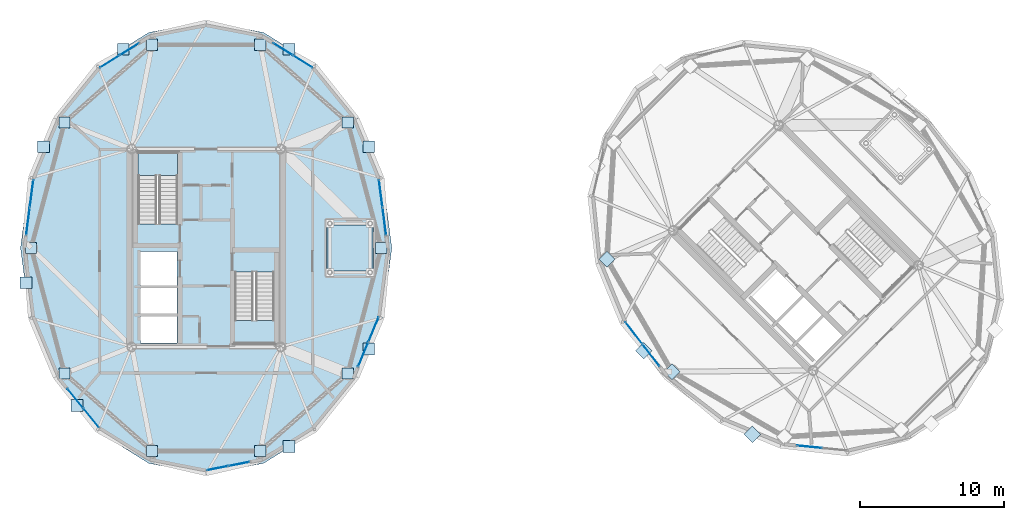
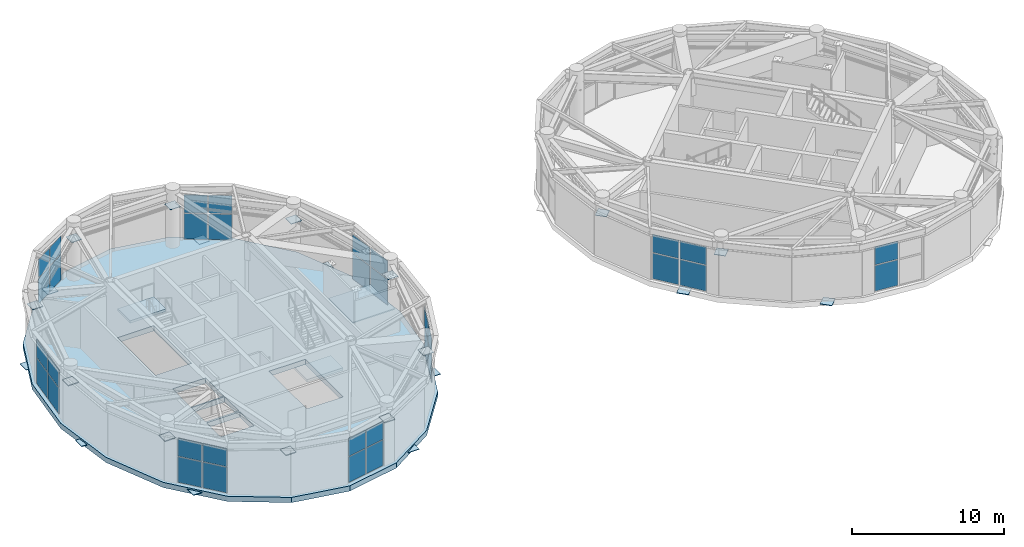
# One storey, part 21 of 28: 57 plates, 3 slabs, 11 elements without a shape of their own.
"""IFC4 building model written with IfcOpenShell, lengths in metres."""

from ifc_helpers import new_model, si_unit, direction, frame, origin, origin_2d, place, context, subcontext, project, spatial, polyline, rectangle, outline, extrude, source, transform, mapped, material, layer, layer_set, type_object, element, aggregate, save


model = new_model("IFC4")

# Units and contexts
model_context = context("Model", 3, precision=1e-05, world=origin(), true_north=direction((0.0, 1.0)))
body_context = subcontext(model_context, "Body", "Model", "MODEL_VIEW")
ifc_project = project(units=[si_unit("LENGTHUNIT", "METRE"), si_unit("AREAUNIT", "SQUARE_METRE"), si_unit("VOLUMEUNIT", "CUBIC_METRE"), si_unit("PLANEANGLEUNIT", "RADIAN"), si_unit("MASSUNIT", "GRAM", prefix="KILO")], contexts=[model_context])

# Site, building, storey
site_placement = place(None, origin())
site = spatial("IfcSite", under=ifc_project, at=site_placement, CompositionType="ELEMENT")
building_placement = place(site_placement, origin())
building = spatial("IfcBuilding", under=site, at=building_placement, Name="Cununo Teusaquillo Station Towers", CompositionType="ELEMENT")
storey_placement = place(building_placement, frame((0.0, 0.0, 235.64990234375)))
storey = spatial("IfcBuildingStorey", under=building, at=storey_placement, Name="L75", CompositionType="ELEMENT", Elevation=235.64990234375)

# Stair, slab
ifc_material_1 = material(Name="Concrete C50/60", Category="concrete")
stair_type = type_object("IfcStairType", Name="ST-TWR-1300", PredefinedType="HALF_TURN_STAIR", material=ifc_material_1)
stair_1_placement = place(storey_placement, origin())
stair_1 = element("IfcStair", 1, at=stair_1_placement, inside=storey, type_object=stair_type, Name="L75 Tower A Protected Core Exit Stair 1", PredefinedType="HALF_TURN_STAIR")
ifc_material_2 = material(Name="Concrete C50/60", Category="concrete")
ifc_layer_1 = layer(ifc_material_2, 0.199951171875)
ifc_layer_set_1 = layer_set([ifc_layer_1], Name="Concrete C50/60")
slab_type_1 = type_object("IfcSlabType", Name="SLB-STAIR-LND", PredefinedType="LANDING", material=ifc_layer_set_1)
slab_1_placement = place(storey_placement, frame((0.0, 0.0, 2.14013671875)))
slab_1 = element("IfcSlab", 2, at=slab_1_placement, type_object=slab_type_1, Name="ST-T1-1 landing 1", PredefinedType="LANDING", context=body_context, shape_type="SweptSolid", body=[
    extrude(outline(polyline([(14.52001953125, 29.530029296875), (14.52001953125, 31.159912109375), (11.760009765625, 31.159912109375), (11.760009765625, 29.530029296875), (14.52001953125, 29.530029296875)])), origin(), (0.0, 0.0, 1.0), 0.199951171875),
])
aggregate(stair_1, [slab_1])

stair_2_placement = place(storey_placement, origin())
stair_2 = element("IfcStair", 3, at=stair_2_placement, inside=storey, type_object=stair_type, Name="L75 Tower A Protected Core Exit Stair 2", PredefinedType="HALF_TURN_STAIR")
slab_2_placement = place(storey_placement, frame((0.0, 0.0, 2.14013671875)))
slab_2 = element("IfcSlab", 4, at=slab_2_placement, type_object=slab_type_1, Name="ST-T1-2 landing 1", PredefinedType="LANDING", context=body_context, shape_type="SweptSolid", body=[
    extrude(outline(polyline([(18.47998046875, 19.469970703125), (18.47998046875, 17.840087890625), (21.239990234375, 17.840087890625), (21.239990234375, 19.469970703125), (18.47998046875, 19.469970703125)])), origin(), (0.0, 0.0, 1.0), 0.199951171875),
])
aggregate(stair_2, [slab_2])

# Slab
ifc_material_3 = material(Name="Concrete C60/75", Category="concrete")
ifc_layer_2 = layer(ifc_material_3, 0.419921875)
ifc_layer_set_2 = layer_set([ifc_layer_2], Name="Concrete C60/75")
slab_type_2 = type_object("IfcSlabType", Name="SLB-TMD-420", PredefinedType="FLOOR", material=ifc_layer_set_2)
slab_3_placement = place(storey_placement, frame((0.0, 0.0, -0.419921875)))
element("IfcSlab", 5, at=slab_3_placement, inside=storey, type_object=slab_type_2, Name="L75 Tower A Floor Slab", PredefinedType="FLOOR", context=body_context, shape_type="SweptSolid", body=[
    extrude(outline(polyline([(29.409912109375, 24.5), (28.778076171875, 29.366943359375), (26.9443359375, 33.757568359375), (24.08837890625, 37.241943359375), (20.489501953125, 39.47900390625), (16.5, 40.25), (12.510498046875, 39.47900390625), (8.91162109375, 37.241943359375), (6.0556640625, 33.757568359375), (4.221923828125, 29.366943359375), (3.590087890625, 24.5), (4.221923828125, 19.633056640625), (6.0556640625, 15.242431640625), (8.91162109375, 11.758056640625), (12.510498046875, 9.52099609375), (16.5, 8.75), (20.489501953125, 9.52099609375), (24.08837890625, 11.758056640625), (26.9443359375, 15.242431640625), (28.778076171875, 19.633056640625), (29.409912109375, 24.5)]), holes=[polyline([(14.52001953125, 26.176025390625), (14.52001953125, 31.159912109375), (11.760009765625, 31.159912109375), (11.760009765625, 26.176025390625), (14.52001953125, 26.176025390625)]), polyline([(18.47998046875, 22.823974609375), (18.47998046875, 17.840087890625), (21.239990234375, 17.840087890625), (21.239990234375, 22.823974609375), (18.47998046875, 22.823974609375)]), polyline([(11.949951171875, 21.85009765625), (14.47998046875, 21.85009765625), (14.47998046875, 24.25), (11.949951171875, 24.25), (11.949951171875, 21.85009765625)]), polyline([(11.949951171875, 17.89990234375), (14.47998046875, 17.89990234375), (14.47998046875, 19.75), (11.949951171875, 19.75), (11.949951171875, 17.89990234375)]), polyline([(11.949951171875, 19.89990234375), (14.47998046875, 19.89990234375), (14.47998046875, 21.75), (11.949951171875, 21.75), (11.949951171875, 19.89990234375)])]), origin(), (0.0, 0.0, 1.0), 0.419921875),
])

# Plates
ifc_material_4 = material(Name="Steel ASTM A572 Grade 50", Category="steel")
ifc_layer_3 = layer(ifc_material_4, 0.0400390625)
ifc_layer_set_3 = layer_set([ifc_layer_3], Name="Steel ASTM A572 Grade 50")
plate_type_1 = type_object("IfcPlateType", Name="PLT-NODE-CRN1", PredefinedType="USERDEFINED", material=ifc_layer_set_3)
shared_shape_1 = source(origin(), body_context, "Body", "SweptSolid", [
    extrude(rectangle(XDim=0.780029296875, YDim=0.780029296875, at=origin_2d()), origin(), (0.0, 0.0, 1.0), 0.0400390625),
])
for number, where, z_axis, x_axis, name in (
    (6, (28.672119140625, 24.5, 3.130126953125), (0.0, 0.0, 1.0), (1.0, 0.0, 0.0), "L75 Tower A Crown Drum Node CRN1 01"),
    (7, (26.347412109375, 33.228515625, 3.130126953125), (0.0, 0.0, 1.0), (1.0, 0.0, 0.0), "L75 Tower A Crown Drum Node CRN1 02"),
    (8, (20.261474609375, 38.623291015625, 3.130126953125), (0.0, 0.0, 1.0), (1.0, 0.0, 0.0), "L75 Tower A Crown Drum Node CRN1 03"),
    (9, (12.738525390625, 38.623291015625, 3.130126953125), (0.0, 0.0, 1.0), (1.0, 0.0, 0.0), "L75 Tower A Crown Drum Node CRN1 04"),
    (10, (6.652587890625, 33.228515625, 3.130126953125), (0.0, 0.0, 1.0), (1.0, 0.0, 0.0), "L75 Tower A Crown Drum Node CRN1 05"),
    (11, (4.327880859375, 24.5, 3.130126953125), (0.0, 0.0, 1.0), (1.0, 0.0, 0.0), "L75 Tower A Crown Drum Node CRN1 06"),
    (12, (6.652587890625, 15.771484375, 3.130126953125), (0.0, 0.0, 1.0), (1.0, 0.0, 0.0), "L75 Tower A Crown Drum Node CRN1 07"),
    (13, (12.738525390625, 10.376708984375, 3.130126953125), (0.0, 0.0, 1.0), (1.0, 0.0, 0.0), "L75 Tower A Crown Drum Node CRN1 08"),
    (14, (20.261474609375, 10.376708984375, 3.130126953125), (0.0, 0.0, 1.0), (1.0, 0.0, 0.0), "L75 Tower A Crown Drum Node CRN1 09"),
    (15, (26.347412109375, 15.771484375, 3.130126953125), (0.0, 0.0, 1.0), (1.0, 0.0, 0.0), "L75 Tower A Crown Drum Node CRN1 10"),
    (16, (44.36474609375, 23.708984375, 3.130126953125), (0.0, 0.0, 1.0), (0.707106781187, 0.707106781187, 0.0), "L75 Tower B Crown Drum Node CRN1 05"),
    (17, (48.89306640625, 15.89306640625, 3.130126953125), (0.0, 0.0, 1.0), (0.707106781187, 0.707106781187, 0.0), "L75 Tower B Crown Drum Node CRN1 06"),
):
    element("IfcPlate", number, at=place(storey_placement, frame(where, z_axis=z_axis, x_axis=x_axis)), inside=storey, type_object=plate_type_1, Name=name, ObjectType="GUSSET PLATE", PredefinedType="USERDEFINED", context=body_context, shape_type="MappedRepresentation", body=[
        mapped(shared_shape_1, transform((0.0, 0.0, 0.0), x_axis=(1.0, 0.0, 0.0), y_axis=(0.0, 1.0, 0.0), z_axis=(0.0, 0.0, 1.0), scale=1.0)),
    ])
ifc_material_5 = material(Name="Steel ASTM A572 Grade 50", Category="steel")
ifc_layer_4 = layer(ifc_material_5, 0.044921875)
ifc_layer_set_4 = layer_set([ifc_layer_4], Name="Steel ASTM A572 Grade 50")
plate_type_2 = type_object("IfcPlateType", Name="PLT-NODE-DN2", PredefinedType="USERDEFINED", material=ifc_layer_set_4)
shared_shape_2 = source(origin(), body_context, "Body", "SweptSolid", [
    extrude(rectangle(XDim=0.820068359375, YDim=0.820068359375, at=origin_2d()), origin(), (0.0, 0.0, 1.0), 0.044921875),
])
for number, where, z_axis, x_axis, name in (
    (18, (27.80859375, 31.535400390625, -0.162353515625), (0.0, 0.0, 1.0), (1.0, 0.0, 0.0), "L75 Tower A Diagrid Node Assembly C01"),
    (19, (22.261962890625, 38.307861328125, -0.162353515625), (0.0, 0.0, 1.0), (1.0, 0.0, 0.0), "L75 Tower A Diagrid Node Assembly C03"),
    (20, (10.738037109375, 38.307861328125, -0.162353515625), (0.0, 0.0, 1.0), (1.0, 0.0, 0.0), "L75 Tower A Diagrid Node Assembly C06"),
    (21, (5.19140625, 31.535400390625, -0.162353515625), (0.0, 0.0, 1.0), (1.0, 0.0, 0.0), "L75 Tower A Diagrid Node Assembly C08"),
    (22, (3.964599609375, 22.07568359375, -0.162353515625), (0.0, 0.0, 1.0), (1.0, 0.0, 0.0), "L75 Tower A Diagrid Node Assembly C10"),
    (23, (7.525390625, 13.5419921875, -0.162353515625), (0.0, 0.0, 1.0), (1.0, 0.0, 0.0), "L75 Tower A Diagrid Node Assembly C12"),
    (24, (22.261962890625, 10.692138671875, -0.162353515625), (0.0, 0.0, 1.0), (1.0, 0.0, 0.0), "L75 Tower A Diagrid Node Assembly C16"),
    (25, (27.80859375, 17.464599609375, -0.162353515625), (0.0, 0.0, 1.0), (1.0, 0.0, 0.0), "L75 Tower A Diagrid Node Assembly C18"),
    (26, (46.921875, 17.35009765625, -0.162353515625), (0.0, 0.0, 1.0), (0.707106781187, 0.707106781187, 0.0), "L75 Tower B Diagrid Node Assembly C09"),
    (27, (54.478515625, 11.52880859375, -0.162353515625), (0.0, 0.0, 1.0), (0.707106781187, 0.707106781187, 0.0), "L75 Tower B Diagrid Node Assembly C11"),
):
    element("IfcPlate", number, at=place(storey_placement, frame(where, z_axis=z_axis, x_axis=x_axis)), inside=storey, type_object=plate_type_2, Name=name, ObjectType="GUSSET PLATE", PredefinedType="USERDEFINED", context=body_context, shape_type="MappedRepresentation", body=[
        mapped(shared_shape_2, transform((0.0, 0.0, 0.0), x_axis=(1.0, 0.0, 0.0), y_axis=(0.0, 1.0, 0.0), z_axis=(0.0, 0.0, 1.0), scale=1.0)),
    ])
ifc_material_6 = material(Name="Steel ASTM A572 Grade 50", Category="steel")
ifc_layer_5 = layer(ifc_material_6, 0.090087890625)
ifc_layer_set_5 = layer_set([ifc_layer_5], Name="Steel ASTM A572 Grade 50")
plate_type_3 = type_object("IfcPlateType", Name="PLT-TMD-MASS", PredefinedType="SHEET", material=ifc_layer_set_5)
shared_shape_3 = source(origin(), body_context, "Body", "SweptSolid", [
    extrude(rectangle(XDim=3.199951171875, YDim=3.199951171875, at=origin_2d()), origin(), (0.0, 0.0, 1.0), 0.090087890625),
])
plate_1_placement = place(storey_placement, frame((26.5, 24.5, 1.55029296875), z_axis=(0.0, 0.0, 1.0), x_axis=(1.0, 0.0, 0.0)))
element("IfcPlate", 28, at=plate_1_placement, inside=storey, type_object=plate_type_3, Name="L75 Tower A Tuned Mass Damper Steel Inertia Mass", PredefinedType="SHEET", context=body_context, shape_type="MappedRepresentation", body=[
    mapped(shared_shape_3, transform((0.0, 0.0, 0.0), x_axis=(1.0, 0.0, 0.0), y_axis=(0.0, 1.0, 0.0), z_axis=(0.0, 0.0, 1.0), scale=1.0)),
])

# Curtain wall, plates
ifc_material_7 = material(Name="Ceramic-fritted dark low-E double glazing", Category="glass")
ifc_layer_6 = layer(ifc_material_7, 0.179931640625)
ifc_layer_set_6 = layer_set([ifc_layer_6], Name="Ceramic-fritted dark low-E double glazing")
curtain_wall_type = type_object("IfcCurtainWallType", Name="CW-SYS-08", PredefinedType="USERDEFINED", material=ifc_layer_set_6)
curtain_wall_1_placement = place(storey_placement, origin())
curtain_wall_1 = element("IfcCurtainWall", 29, at=curtain_wall_1_placement, inside=storey, type_object=curtain_wall_type, Name="L75 Tower A Crown Drum Glazed Screen C00", ObjectType="FRITTED GLAZING", PredefinedType="USERDEFINED")
ifc_material_8 = material(Name="Ceramic-fritted dark low-E double glazing", Category="glass")
ifc_layer_7 = layer(ifc_material_8, 0.030029296875)
ifc_layer_set_7 = layer_set([ifc_layer_7], Name="Ceramic-fritted dark low-E double glazing")
plate_type_4 = type_object("IfcPlateType", Name="CWP-DRUM-30", PredefinedType="CURTAIN_PANEL", material=ifc_layer_set_7)
shared_shape_4 = source(origin(), body_context, "Body", "SweptSolid", [
    extrude(rectangle(XDim=1.8876953125, YDim=0.030029296875, at=origin_2d()), origin(), (0.0, 0.0, 1.0), 2.052490234375),
])
plate_2_placement = place(storey_placement, frame((28.64111328125, 28.280029296875, 0.06494140625), z_axis=(0.0, 0.0, 1.0), x_axis=(0.12825264413, -0.991741528461, 0.0)))
plate_2 = element("IfcPlate", 30, at=plate_2_placement, type_object=plate_type_4, Name="CW-08 panel 1.1", PredefinedType="CURTAIN_PANEL", context=body_context, shape_type="MappedRepresentation", body=[
    mapped(shared_shape_4, transform((0.0, 0.0, 0.0), x_axis=(1.0, 0.0, 0.0), y_axis=(0.0, 1.0, 0.0), z_axis=(0.0, 0.0, 1.0), scale=1.0)),
])
plate_3_placement = place(storey_placement, frame((28.8916015625, 26.343505859375, 0.06494140625), z_axis=(0.0, 0.0, 1.0), x_axis=(0.12825264413, -0.991741528461, 0.0)))
plate_3 = element("IfcPlate", 31, at=plate_3_placement, type_object=plate_type_4, Name="CW-08 panel 2.1", PredefinedType="CURTAIN_PANEL", context=body_context, shape_type="MappedRepresentation", body=[
    mapped(shared_shape_4, transform((0.0, 0.0, 0.0), x_axis=(1.0, 0.0, 0.0), y_axis=(0.0, 1.0, 0.0), z_axis=(0.0, 0.0, 1.0), scale=1.0)),
])

curtain_wall_2_placement = place(storey_placement, origin())
curtain_wall_2 = element("IfcCurtainWall", 32, at=curtain_wall_2_placement, inside=storey, type_object=curtain_wall_type, Name="L75 Tower A Crown Drum Glazed Screen C09", ObjectType="FRITTED GLAZING", PredefinedType="USERDEFINED")
plate_4_placement = place(storey_placement, frame((4.1083984375, 26.343505859375, 0.06494140625), z_axis=(0.0, 0.0, 1.0), x_axis=(0.12825264413, 0.991741528461, 0.0)))
plate_4 = element("IfcPlate", 33, at=plate_4_placement, type_object=plate_type_4, Name="CW-08 panel 1.1", PredefinedType="CURTAIN_PANEL", context=body_context, shape_type="MappedRepresentation", body=[
    mapped(shared_shape_4, transform((0.0, 0.0, 0.0), x_axis=(1.0, 0.0, 0.0), y_axis=(0.0, 1.0, 0.0), z_axis=(0.0, 0.0, 1.0), scale=1.0)),
])
plate_5_placement = place(storey_placement, frame((4.35888671875, 28.280029296875, 0.06494140625), z_axis=(0.0, 0.0, 1.0), x_axis=(0.12825264413, 0.991741528461, 0.0)))
plate_5 = element("IfcPlate", 34, at=plate_5_placement, type_object=plate_type_4, Name="CW-08 panel 2.1", PredefinedType="CURTAIN_PANEL", context=body_context, shape_type="MappedRepresentation", body=[
    mapped(shared_shape_4, transform((0.0, 0.0, 0.0), x_axis=(1.0, 0.0, 0.0), y_axis=(0.0, 1.0, 0.0), z_axis=(0.0, 0.0, 1.0), scale=1.0)),
])

curtain_wall_3_placement = place(storey_placement, origin())
curtain_wall_3 = element("IfcCurtainWall", 35, at=curtain_wall_3_placement, inside=storey, type_object=curtain_wall_type, Name="L75 Tower B Crown Drum Glazed Screen C09", ObjectType="FRITTED GLAZING", PredefinedType="USERDEFINED")
plate_6_placement = place(storey_placement, frame((47.434326171875, 17.041259765625, 0.06494140625), z_axis=(0.0, 0.0, 1.0), x_axis=(-0.610566119397, 0.791965285757, 0.0)))
plate_6 = element("IfcPlate", 36, at=plate_6_placement, type_object=plate_type_4, Name="CW-08 panel 1.1", PredefinedType="CURTAIN_PANEL", context=body_context, shape_type="MappedRepresentation", body=[
    mapped(shared_shape_4, transform((0.0, 0.0, 0.0), x_axis=(1.0, 0.0, 0.0), y_axis=(0.0, 1.0, 0.0), z_axis=(0.0, 0.0, 1.0), scale=1.0)),
])
plate_7_placement = place(storey_placement, frame((46.241943359375, 18.587646484375, 0.06494140625), z_axis=(0.0, 0.0, 1.0), x_axis=(-0.610566119397, 0.791965285757, 0.0)))
plate_7 = element("IfcPlate", 37, at=plate_7_placement, type_object=plate_type_4, Name="CW-08 panel 2.1", PredefinedType="CURTAIN_PANEL", context=body_context, shape_type="MappedRepresentation", body=[
    mapped(shared_shape_4, transform((0.0, 0.0, 0.0), x_axis=(1.0, 0.0, 0.0), y_axis=(0.0, 1.0, 0.0), z_axis=(0.0, 0.0, 1.0), scale=1.0)),
])

# Plate
shared_shape_5 = source(origin(), body_context, "Body", "SweptSolid", [
    extrude(rectangle(XDim=1.8876953125, YDim=0.030029296875, at=origin_2d()), origin(), (0.0, 0.0, 1.0), 1.448486328125),
])
plate_8_placement = place(storey_placement, frame((28.64111328125, 28.280029296875, 2.1826171875), z_axis=(0.0, 0.0, 1.0), x_axis=(0.12825264413, -0.991741528461, 0.0)))
plate_8 = element("IfcPlate", 38, at=plate_8_placement, type_object=plate_type_4, Name="CW-08 panel 1.2", PredefinedType="CURTAIN_PANEL", context=body_context, shape_type="MappedRepresentation", body=[
    mapped(shared_shape_5, transform((0.0, 0.0, 0.0), x_axis=(1.0, 0.0, 0.0), y_axis=(0.0, 1.0, 0.0), z_axis=(0.0, 0.0, 1.0), scale=1.0)),
])

plate_9_placement = place(storey_placement, frame((28.8916015625, 26.343505859375, 2.1826171875), z_axis=(0.0, 0.0, 1.0), x_axis=(0.12825264413, -0.991741528461, 0.0)))
plate_9 = element("IfcPlate", 39, at=plate_9_placement, type_object=plate_type_4, Name="CW-08 panel 2.2", PredefinedType="CURTAIN_PANEL", context=body_context, shape_type="MappedRepresentation", body=[
    mapped(shared_shape_5, transform((0.0, 0.0, 0.0), x_axis=(1.0, 0.0, 0.0), y_axis=(0.0, 1.0, 0.0), z_axis=(0.0, 0.0, 1.0), scale=1.0)),
])

aggregate(curtain_wall_1, [plate_2, plate_8, plate_3, plate_9])

plate_10_placement = place(storey_placement, frame((4.1083984375, 26.343505859375, 2.1826171875), z_axis=(0.0, 0.0, 1.0), x_axis=(0.12825264413, 0.991741528461, 0.0)))
plate_10 = element("IfcPlate", 40, at=plate_10_placement, type_object=plate_type_4, Name="CW-08 panel 1.2", PredefinedType="CURTAIN_PANEL", context=body_context, shape_type="MappedRepresentation", body=[
    mapped(shared_shape_5, transform((0.0, 0.0, 0.0), x_axis=(1.0, 0.0, 0.0), y_axis=(0.0, 1.0, 0.0), z_axis=(0.0, 0.0, 1.0), scale=1.0)),
])

plate_11_placement = place(storey_placement, frame((4.35888671875, 28.280029296875, 2.1826171875), z_axis=(0.0, 0.0, 1.0), x_axis=(0.12825264413, 0.991741528461, 0.0)))
plate_11 = element("IfcPlate", 41, at=plate_11_placement, type_object=plate_type_4, Name="CW-08 panel 2.2", PredefinedType="CURTAIN_PANEL", context=body_context, shape_type="MappedRepresentation", body=[
    mapped(shared_shape_5, transform((0.0, 0.0, 0.0), x_axis=(1.0, 0.0, 0.0), y_axis=(0.0, 1.0, 0.0), z_axis=(0.0, 0.0, 1.0), scale=1.0)),
])

aggregate(curtain_wall_2, [plate_4, plate_10, plate_5, plate_11])

plate_12_placement = place(storey_placement, frame((47.434326171875, 17.041259765625, 2.1826171875), z_axis=(0.0, 0.0, 1.0), x_axis=(-0.610566119397, 0.791965285757, 0.0)))
plate_12 = element("IfcPlate", 42, at=plate_12_placement, type_object=plate_type_4, Name="CW-08 panel 1.2", PredefinedType="CURTAIN_PANEL", context=body_context, shape_type="MappedRepresentation", body=[
    mapped(shared_shape_5, transform((0.0, 0.0, 0.0), x_axis=(1.0, 0.0, 0.0), y_axis=(0.0, 1.0, 0.0), z_axis=(0.0, 0.0, 1.0), scale=1.0)),
])

plate_13_placement = place(storey_placement, frame((46.241943359375, 18.587646484375, 2.1826171875), z_axis=(0.0, 0.0, 1.0), x_axis=(-0.610566119397, 0.791965285757, 0.0)))
plate_13 = element("IfcPlate", 43, at=plate_13_placement, type_object=plate_type_4, Name="CW-08 panel 2.2", PredefinedType="CURTAIN_PANEL", context=body_context, shape_type="MappedRepresentation", body=[
    mapped(shared_shape_5, transform((0.0, 0.0, 0.0), x_axis=(1.0, 0.0, 0.0), y_axis=(0.0, 1.0, 0.0), z_axis=(0.0, 0.0, 1.0), scale=1.0)),
])

aggregate(curtain_wall_3, [plate_6, plate_12, plate_7, plate_13])

# Curtain wall, plates
curtain_wall_4_placement = place(storey_placement, origin())
curtain_wall_4 = element("IfcCurtainWall", 44, at=curtain_wall_4_placement, inside=storey, type_object=curtain_wall_type, Name="L75 Tower A Crown Drum Glazed Screen C03", ObjectType="FRITTED GLAZING", PredefinedType="USERDEFINED")
shared_shape_6 = source(origin(), body_context, "Body", "SweptSolid", [
    extrude(rectangle(XDim=1.552490234375, YDim=0.030029296875, at=origin_2d()), origin(), (0.0, 0.0, 1.0), 2.052490234375),
])
plate_14_placement = place(storey_placement, frame((21.837646484375, 38.3173828125, 0.06494140625), z_axis=(0.0, 0.0, 1.0), x_axis=(0.848340291551, -0.529451366729, 0.0)))
plate_14 = element("IfcPlate", 45, at=plate_14_placement, type_object=plate_type_4, Name="CW-08 panel 1.1", PredefinedType="CURTAIN_PANEL", context=body_context, shape_type="MappedRepresentation", body=[
    mapped(shared_shape_6, transform((0.0, 0.0, 0.0), x_axis=(1.0, 0.0, 0.0), y_axis=(0.0, 1.0, 0.0), z_axis=(0.0, 0.0, 1.0), scale=1.0)),
])
plate_15_placement = place(storey_placement, frame((23.2099609375, 37.4609375, 0.06494140625), z_axis=(0.0, 0.0, 1.0), x_axis=(0.848340291551, -0.529451366729, 0.0)))
plate_15 = element("IfcPlate", 46, at=plate_15_placement, type_object=plate_type_4, Name="CW-08 panel 2.1", PredefinedType="CURTAIN_PANEL", context=body_context, shape_type="MappedRepresentation", body=[
    mapped(shared_shape_6, transform((0.0, 0.0, 0.0), x_axis=(1.0, 0.0, 0.0), y_axis=(0.0, 1.0, 0.0), z_axis=(0.0, 0.0, 1.0), scale=1.0)),
])

curtain_wall_5_placement = place(storey_placement, origin())
curtain_wall_5 = element("IfcCurtainWall", 47, at=curtain_wall_5_placement, inside=storey, type_object=curtain_wall_type, Name="L75 Tower A Crown Drum Glazed Screen C06", ObjectType="FRITTED GLAZING", PredefinedType="USERDEFINED")
plate_16_placement = place(storey_placement, frame((9.7900390625, 37.4609375, 0.06494140625), z_axis=(0.0, 0.0, 1.0), x_axis=(0.848340291551, 0.529451366729, 0.0)))
plate_16 = element("IfcPlate", 48, at=plate_16_placement, type_object=plate_type_4, Name="CW-08 panel 1.1", PredefinedType="CURTAIN_PANEL", context=body_context, shape_type="MappedRepresentation", body=[
    mapped(shared_shape_6, transform((0.0, 0.0, 0.0), x_axis=(1.0, 0.0, 0.0), y_axis=(0.0, 1.0, 0.0), z_axis=(0.0, 0.0, 1.0), scale=1.0)),
])
plate_17_placement = place(storey_placement, frame((11.162353515625, 38.3173828125, 0.06494140625), z_axis=(0.0, 0.0, 1.0), x_axis=(0.848340291551, 0.529451366729, 0.0)))
plate_17 = element("IfcPlate", 49, at=plate_17_placement, type_object=plate_type_4, Name="CW-08 panel 2.1", PredefinedType="CURTAIN_PANEL", context=body_context, shape_type="MappedRepresentation", body=[
    mapped(shared_shape_6, transform((0.0, 0.0, 0.0), x_axis=(1.0, 0.0, 0.0), y_axis=(0.0, 1.0, 0.0), z_axis=(0.0, 0.0, 1.0), scale=1.0)),
])

# Plate
shared_shape_7 = source(origin(), body_context, "Body", "SweptSolid", [
    extrude(rectangle(XDim=1.552490234375, YDim=0.030029296875, at=origin_2d()), origin(), (0.0, 0.0, 1.0), 1.448486328125),
])
plate_18_placement = place(storey_placement, frame((21.837646484375, 38.3173828125, 2.1826171875), z_axis=(0.0, 0.0, 1.0), x_axis=(0.848340291551, -0.529451366729, 0.0)))
plate_18 = element("IfcPlate", 50, at=plate_18_placement, type_object=plate_type_4, Name="CW-08 panel 1.2", PredefinedType="CURTAIN_PANEL", context=body_context, shape_type="MappedRepresentation", body=[
    mapped(shared_shape_7, transform((0.0, 0.0, 0.0), x_axis=(1.0, 0.0, 0.0), y_axis=(0.0, 1.0, 0.0), z_axis=(0.0, 0.0, 1.0), scale=1.0)),
])

plate_19_placement = place(storey_placement, frame((23.2099609375, 37.4609375, 2.1826171875), z_axis=(0.0, 0.0, 1.0), x_axis=(0.848340291551, -0.529451366729, 0.0)))
plate_19 = element("IfcPlate", 51, at=plate_19_placement, type_object=plate_type_4, Name="CW-08 panel 2.2", PredefinedType="CURTAIN_PANEL", context=body_context, shape_type="MappedRepresentation", body=[
    mapped(shared_shape_7, transform((0.0, 0.0, 0.0), x_axis=(1.0, 0.0, 0.0), y_axis=(0.0, 1.0, 0.0), z_axis=(0.0, 0.0, 1.0), scale=1.0)),
])

aggregate(curtain_wall_4, [plate_14, plate_18, plate_15, plate_19])

plate_20_placement = place(storey_placement, frame((9.7900390625, 37.4609375, 2.1826171875), z_axis=(0.0, 0.0, 1.0), x_axis=(0.848340291551, 0.529451366729, 0.0)))
plate_20 = element("IfcPlate", 52, at=plate_20_placement, type_object=plate_type_4, Name="CW-08 panel 1.2", PredefinedType="CURTAIN_PANEL", context=body_context, shape_type="MappedRepresentation", body=[
    mapped(shared_shape_7, transform((0.0, 0.0, 0.0), x_axis=(1.0, 0.0, 0.0), y_axis=(0.0, 1.0, 0.0), z_axis=(0.0, 0.0, 1.0), scale=1.0)),
])

plate_21_placement = place(storey_placement, frame((11.162353515625, 38.3173828125, 2.1826171875), z_axis=(0.0, 0.0, 1.0), x_axis=(0.848340291551, 0.529451366729, 0.0)))
plate_21 = element("IfcPlate", 53, at=plate_21_placement, type_object=plate_type_4, Name="CW-08 panel 2.2", PredefinedType="CURTAIN_PANEL", context=body_context, shape_type="MappedRepresentation", body=[
    mapped(shared_shape_7, transform((0.0, 0.0, 0.0), x_axis=(1.0, 0.0, 0.0), y_axis=(0.0, 1.0, 0.0), z_axis=(0.0, 0.0, 1.0), scale=1.0)),
])

aggregate(curtain_wall_5, [plate_16, plate_20, plate_17, plate_21])

# Curtain wall, plates
curtain_wall_6_placement = place(storey_placement, origin())
curtain_wall_6 = element("IfcCurtainWall", 54, at=curtain_wall_6_placement, inside=storey, type_object=curtain_wall_type, Name="L75 Tower A Crown Drum Glazed Screen C12", ObjectType="FRITTED GLAZING", PredefinedType="USERDEFINED")
shared_shape_8 = source(origin(), body_context, "Body", "SweptSolid", [
    extrude(rectangle(XDim=1.6865234375, YDim=0.030029296875, at=origin_2d()), origin(), (0.0, 0.0, 1.0), 2.052490234375),
])
plate_22_placement = place(storey_placement, frame((8.501953125, 12.688232421875, 0.06494140625), z_axis=(0.0, 0.0, 1.0), x_axis=(-0.632408751913, 0.774634862696, 0.0)))
plate_22 = element("IfcPlate", 55, at=plate_22_placement, type_object=plate_type_4, Name="CW-08 panel 1.1", PredefinedType="CURTAIN_PANEL", context=body_context, shape_type="MappedRepresentation", body=[
    mapped(shared_shape_8, transform((0.0, 0.0, 0.0), x_axis=(1.0, 0.0, 0.0), y_axis=(0.0, 1.0, 0.0), z_axis=(0.0, 0.0, 1.0), scale=1.0)),
])
plate_23_placement = place(storey_placement, frame((7.39404296875, 14.044921875, 0.06494140625), z_axis=(0.0, 0.0, 1.0), x_axis=(-0.632408751913, 0.774634862696, 0.0)))
plate_23 = element("IfcPlate", 56, at=plate_23_placement, type_object=plate_type_4, Name="CW-08 panel 2.1", PredefinedType="CURTAIN_PANEL", context=body_context, shape_type="MappedRepresentation", body=[
    mapped(shared_shape_8, transform((0.0, 0.0, 0.0), x_axis=(1.0, 0.0, 0.0), y_axis=(0.0, 1.0, 0.0), z_axis=(0.0, 0.0, 1.0), scale=1.0)),
])

# Curtain wall, plate
curtain_wall_7_placement = place(storey_placement, origin())
curtain_wall_7 = element("IfcCurtainWall", 57, at=curtain_wall_7_placement, inside=storey, type_object=curtain_wall_type, Name="L75 Tower B Crown Drum Glazed Screen C12", ObjectType="FRITTED GLAZING", PredefinedType="USERDEFINED")
plate_24_placement = place(storey_placement, frame((58.4541015625, 10.668212890625, 0.06494140625), z_axis=(0.0, 0.0, 1.0), x_axis=(-0.994934273111, 0.1005275693, 0.0)))
plate_24 = element("IfcPlate", 58, at=plate_24_placement, type_object=plate_type_4, Name="CW-08 panel 2.1", PredefinedType="CURTAIN_PANEL", context=body_context, shape_type="MappedRepresentation", body=[
    mapped(shared_shape_8, transform((0.0, 0.0, 0.0), x_axis=(1.0, 0.0, 0.0), y_axis=(0.0, 1.0, 0.0), z_axis=(0.0, 0.0, 1.0), scale=1.0)),
])

# Plate
shared_shape_9 = source(origin(), body_context, "Body", "SweptSolid", [
    extrude(rectangle(XDim=1.6865234375, YDim=0.030029296875, at=origin_2d()), origin(), (0.0, 0.0, 1.0), 1.448486328125),
])
plate_25_placement = place(storey_placement, frame((8.501953125, 12.688232421875, 2.1826171875), z_axis=(0.0, 0.0, 1.0), x_axis=(-0.632408751913, 0.774634862696, 0.0)))
plate_25 = element("IfcPlate", 59, at=plate_25_placement, type_object=plate_type_4, Name="CW-08 panel 1.2", PredefinedType="CURTAIN_PANEL", context=body_context, shape_type="MappedRepresentation", body=[
    mapped(shared_shape_9, transform((0.0, 0.0, 0.0), x_axis=(1.0, 0.0, 0.0), y_axis=(0.0, 1.0, 0.0), z_axis=(0.0, 0.0, 1.0), scale=1.0)),
])

plate_26_placement = place(storey_placement, frame((7.39404296875, 14.044921875, 2.1826171875), z_axis=(0.0, 0.0, 1.0), x_axis=(-0.632408751913, 0.774634862696, 0.0)))
plate_26 = element("IfcPlate", 60, at=plate_26_placement, type_object=plate_type_4, Name="CW-08 panel 2.2", PredefinedType="CURTAIN_PANEL", context=body_context, shape_type="MappedRepresentation", body=[
    mapped(shared_shape_9, transform((0.0, 0.0, 0.0), x_axis=(1.0, 0.0, 0.0), y_axis=(0.0, 1.0, 0.0), z_axis=(0.0, 0.0, 1.0), scale=1.0)),
])

aggregate(curtain_wall_6, [plate_22, plate_25, plate_23, plate_26])

plate_27_placement = place(storey_placement, frame((58.4541015625, 10.668212890625, 2.1826171875), z_axis=(0.0, 0.0, 1.0), x_axis=(-0.994934273111, 0.1005275693, 0.0)))
plate_27 = element("IfcPlate", 61, at=plate_27_placement, type_object=plate_type_4, Name="CW-08 panel 2.2", PredefinedType="CURTAIN_PANEL", context=body_context, shape_type="MappedRepresentation", body=[
    mapped(shared_shape_9, transform((0.0, 0.0, 0.0), x_axis=(1.0, 0.0, 0.0), y_axis=(0.0, 1.0, 0.0), z_axis=(0.0, 0.0, 1.0), scale=1.0)),
])

aggregate(curtain_wall_7, [plate_24, plate_27])

# Curtain wall, plates
curtain_wall_8_placement = place(storey_placement, origin())
curtain_wall_8 = element("IfcCurtainWall", 62, at=curtain_wall_8_placement, inside=storey, type_object=curtain_wall_type, Name="L75 Tower A Crown Drum Glazed Screen C15", ObjectType="FRITTED GLAZING", PredefinedType="USERDEFINED")
shared_shape_10 = source(origin(), body_context, "Body", "SweptSolid", [
    extrude(rectangle(XDim=1.46533203125, YDim=0.030029296875, at=origin_2d()), origin(), (0.0, 0.0, 1.0), 2.052490234375),
])
plate_28_placement = place(storey_placement, frame((18.785400390625, 9.473388671875, 0.06494140625), z_axis=(0.0, 0.0, 1.0), x_axis=(-0.981696388936, -0.190452618648, 0.0)))
plate_28 = element("IfcPlate", 63, at=plate_28_placement, type_object=plate_type_4, Name="CW-08 panel 1.1", PredefinedType="CURTAIN_PANEL", context=body_context, shape_type="MappedRepresentation", body=[
    mapped(shared_shape_10, transform((0.0, 0.0, 0.0), x_axis=(1.0, 0.0, 0.0), y_axis=(0.0, 1.0, 0.0), z_axis=(0.0, 0.0, 1.0), scale=1.0)),
])
plate_29_placement = place(storey_placement, frame((17.282958984375, 9.181884765625, 0.06494140625), z_axis=(0.0, 0.0, 1.0), x_axis=(-0.981696388936, -0.190452618648, 0.0)))
plate_29 = element("IfcPlate", 64, at=plate_29_placement, type_object=plate_type_4, Name="CW-08 panel 2.1", PredefinedType="CURTAIN_PANEL", context=body_context, shape_type="MappedRepresentation", body=[
    mapped(shared_shape_10, transform((0.0, 0.0, 0.0), x_axis=(1.0, 0.0, 0.0), y_axis=(0.0, 1.0, 0.0), z_axis=(0.0, 0.0, 1.0), scale=1.0)),
])
shared_shape_11 = source(origin(), body_context, "Body", "SweptSolid", [
    extrude(rectangle(XDim=1.46533203125, YDim=0.030029296875, at=origin_2d()), origin(), (0.0, 0.0, 1.0), 1.448486328125),
])
plate_30_placement = place(storey_placement, frame((18.785400390625, 9.473388671875, 2.1826171875), z_axis=(0.0, 0.0, 1.0), x_axis=(-0.981696388936, -0.190452618648, 0.0)))
plate_30 = element("IfcPlate", 65, at=plate_30_placement, type_object=plate_type_4, Name="CW-08 panel 1.2", PredefinedType="CURTAIN_PANEL", context=body_context, shape_type="MappedRepresentation", body=[
    mapped(shared_shape_11, transform((0.0, 0.0, 0.0), x_axis=(1.0, 0.0, 0.0), y_axis=(0.0, 1.0, 0.0), z_axis=(0.0, 0.0, 1.0), scale=1.0)),
])
plate_31_placement = place(storey_placement, frame((17.282958984375, 9.181884765625, 2.1826171875), z_axis=(0.0, 0.0, 1.0), x_axis=(-0.981696388936, -0.190452618648, 0.0)))
plate_31 = element("IfcPlate", 66, at=plate_31_placement, type_object=plate_type_4, Name="CW-08 panel 2.2", PredefinedType="CURTAIN_PANEL", context=body_context, shape_type="MappedRepresentation", body=[
    mapped(shared_shape_11, transform((0.0, 0.0, 0.0), x_axis=(1.0, 0.0, 0.0), y_axis=(0.0, 1.0, 0.0), z_axis=(0.0, 0.0, 1.0), scale=1.0)),
])
aggregate(curtain_wall_8, [plate_28, plate_30, plate_29, plate_31])

curtain_wall_9_placement = place(storey_placement, origin())
curtain_wall_9 = element("IfcCurtainWall", 67, at=curtain_wall_9_placement, inside=storey, type_object=curtain_wall_type, Name="L75 Tower A Crown Drum Glazed Screen C18", ObjectType="FRITTED GLAZING", PredefinedType="USERDEFINED")
shared_shape_12 = source(origin(), body_context, "Body", "SweptSolid", [
    extrude(rectangle(XDim=1.812744140625, YDim=0.030029296875, at=origin_2d()), origin(), (0.0, 0.0, 1.0), 2.052490234375),
])
plate_32_placement = place(storey_placement, frame((28.138671875, 18.822509765625, 0.06494140625), z_axis=(0.0, 0.0, 1.0), x_axis=(-0.384063358729, -0.923306740191, 0.0)))
plate_32 = element("IfcPlate", 68, at=plate_32_placement, type_object=plate_type_4, Name="CW-08 panel 1.1", PredefinedType="CURTAIN_PANEL", context=body_context, shape_type="MappedRepresentation", body=[
    mapped(shared_shape_12, transform((0.0, 0.0, 0.0), x_axis=(1.0, 0.0, 0.0), y_axis=(0.0, 1.0, 0.0), z_axis=(0.0, 0.0, 1.0), scale=1.0)),
])
plate_33_placement = place(storey_placement, frame((27.41748046875, 17.088623046875, 0.06494140625), z_axis=(0.0, 0.0, 1.0), x_axis=(-0.384063358729, -0.923306740191, 0.0)))
plate_33 = element("IfcPlate", 69, at=plate_33_placement, type_object=plate_type_4, Name="CW-08 panel 2.1", PredefinedType="CURTAIN_PANEL", context=body_context, shape_type="MappedRepresentation", body=[
    mapped(shared_shape_12, transform((0.0, 0.0, 0.0), x_axis=(1.0, 0.0, 0.0), y_axis=(0.0, 1.0, 0.0), z_axis=(0.0, 0.0, 1.0), scale=1.0)),
])
shared_shape_13 = source(origin(), body_context, "Body", "SweptSolid", [
    extrude(rectangle(XDim=1.812744140625, YDim=0.030029296875, at=origin_2d()), origin(), (0.0, 0.0, 1.0), 1.448486328125),
])
plate_34_placement = place(storey_placement, frame((28.138671875, 18.822509765625, 2.1826171875), z_axis=(0.0, 0.0, 1.0), x_axis=(-0.384063358729, -0.923306740191, 0.0)))
plate_34 = element("IfcPlate", 70, at=plate_34_placement, type_object=plate_type_4, Name="CW-08 panel 1.2", PredefinedType="CURTAIN_PANEL", context=body_context, shape_type="MappedRepresentation", body=[
    mapped(shared_shape_13, transform((0.0, 0.0, 0.0), x_axis=(1.0, 0.0, 0.0), y_axis=(0.0, 1.0, 0.0), z_axis=(0.0, 0.0, 1.0), scale=1.0)),
])
plate_35_placement = place(storey_placement, frame((27.41748046875, 17.088623046875, 2.1826171875), z_axis=(0.0, 0.0, 1.0), x_axis=(-0.384063358729, -0.923306740191, 0.0)))
plate_35 = element("IfcPlate", 71, at=plate_35_placement, type_object=plate_type_4, Name="CW-08 panel 2.2", PredefinedType="CURTAIN_PANEL", context=body_context, shape_type="MappedRepresentation", body=[
    mapped(shared_shape_13, transform((0.0, 0.0, 0.0), x_axis=(1.0, 0.0, 0.0), y_axis=(0.0, 1.0, 0.0), z_axis=(0.0, 0.0, 1.0), scale=1.0)),
])
aggregate(curtain_wall_9, [plate_32, plate_34, plate_33, plate_35])

save(model, "model.ifc")
